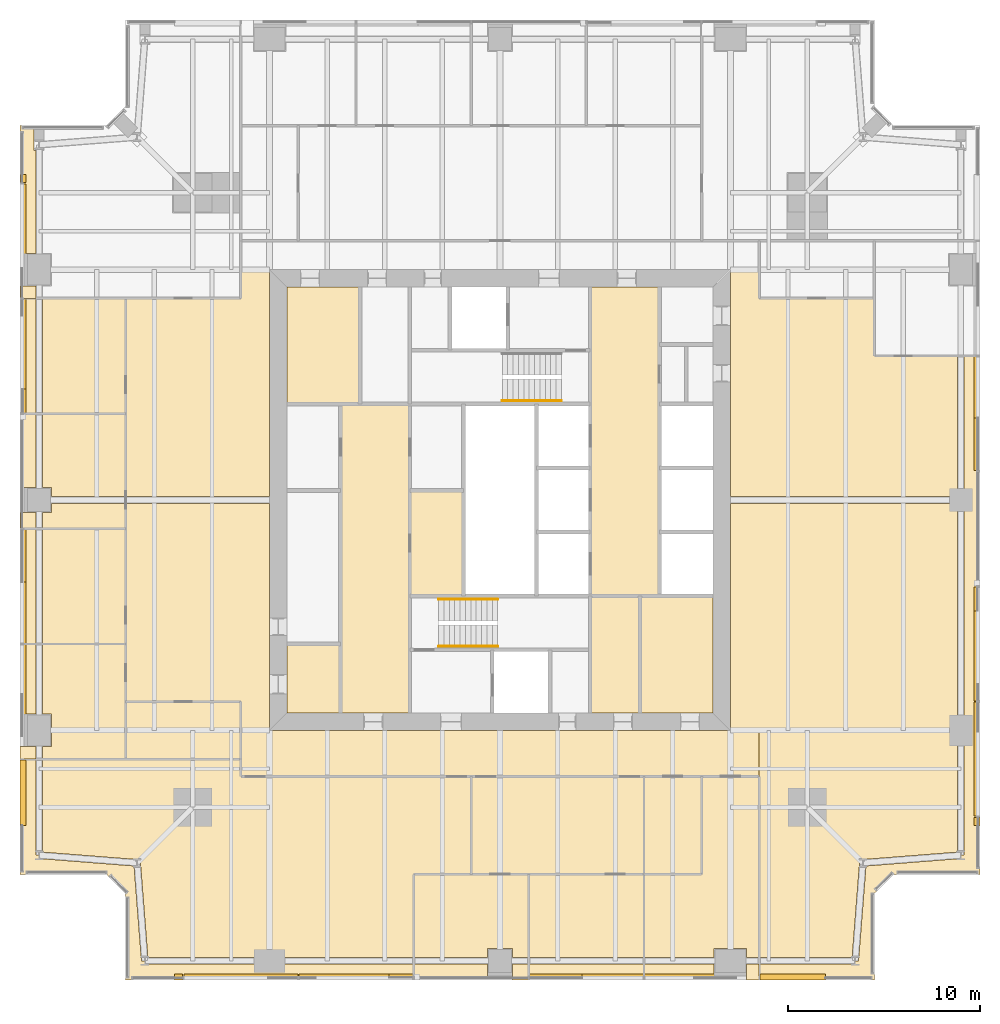
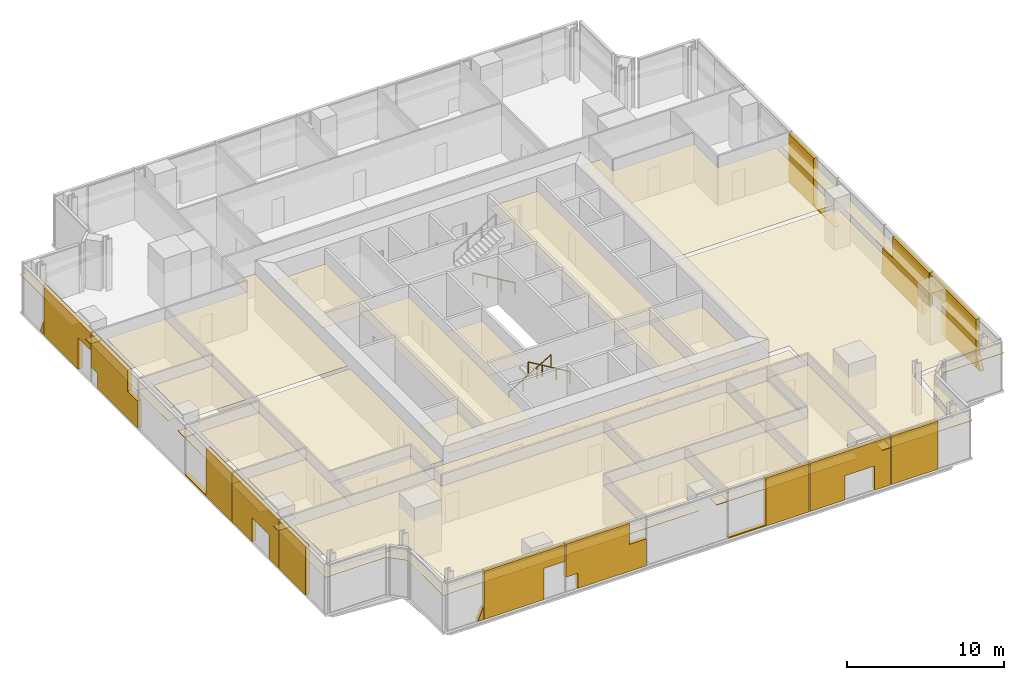
# One storey, part 13 of 14: 55 coverings, 3 railings.
"""IFC4 building model written with IfcOpenShell, lengths in metres."""

from ifc_helpers import new_model, si_unit, direction, frame, origin, origin_2d, place, context, subcontext, project, spatial, polyline, circle, outline, extrude, material, layer, layer_set, type_object, element, save


model = new_model("IFC4")

# Units and contexts
model_context = context("Model", 3, precision=1e-05, world=origin(), true_north=direction((0.0, 1.0)))
body_context = subcontext(model_context, "Body", "Model", "MODEL_VIEW")
ifc_project = project(units=[si_unit("LENGTHUNIT", "METRE"), si_unit("AREAUNIT", "SQUARE_METRE"), si_unit("VOLUMEUNIT", "CUBIC_METRE"), si_unit("PLANEANGLEUNIT", "RADIAN"), si_unit("MASSUNIT", "GRAM", prefix="KILO")], contexts=[model_context])

# Site, building, storey
site_placement = place(None, origin())
site = spatial("IfcSite", under=ifc_project, at=site_placement, CompositionType="ELEMENT")
building_placement = place(site_placement, origin())
building = spatial("IfcBuilding", under=site, at=building_placement, Name="Fenwick Lantern Interchange", CompositionType="ELEMENT")
storey_placement = place(building_placement, frame((0.0, 0.0, 193.800048828125)))
storey = spatial("IfcBuildingStorey", under=building, at=storey_placement, Name="L45", CompositionType="ELEMENT", Elevation=193.800048828125)

# Coverings
ifc_material_1 = material(Name="Mineral fibre acoustic tile on suspended grid")
ifc_layer_1 = layer(ifc_material_1, 0.02001953125)
ifc_layer_set_1 = layer_set([ifc_layer_1], Name="ACOUSTIC TILE CEILING 20")
covering_type_1 = type_object("IfcCoveringType", Name="ACOUSTIC TILE CEILING 20", PredefinedType="CEILING", material=ifc_layer_set_1)
covering_1_placement = place(storey_placement, frame((0.0, 0.0, 2.699951171875)))
element("IfcCovering", 1, at=covering_1_placement, inside=storey, type_object=covering_type_1, Name="Mail room ceiling", PredefinedType="CEILING", context=body_context, shape_type="SweptSolid", body=[
    extrude(outline(polyline([(20.300048828125, 20.0), (23.10009765625, 20.0), (23.10009765625, 25.5), (20.300048828125, 25.5), (20.300048828125, 20.0)])), origin(), (0.0, 0.0, 1.0), 0.02001953125),
])
covering_2_placement = place(storey_placement, frame((0.0, 0.0, 2.89990234375)))
element("IfcCovering", 2, at=covering_2_placement, inside=storey, type_object=covering_type_1, Name="Meeting room ceiling", PredefinedType="CEILING", context=body_context, shape_type="SweptSolid", body=[
    extrude(outline(polyline([(20.5, 5.5), (20.5, 1.17236328125), (24.35009765625, 1.17236328125), (24.35009765625, 1.64990234375), (25.64990234375, 1.64990234375), (25.64990234375, 1.17236328125), (26.5, 1.17236328125), (26.5, 5.5), (20.5, 5.5)])), origin(), (0.0, 0.0, 1.0), 0.02001953125),
])
covering_3_placement = place(storey_placement, frame((0.0, 0.0, 2.89990234375)))
element("IfcCovering", 3, at=covering_3_placement, inside=storey, type_object=covering_type_1, Name="Meeting room ceiling", PredefinedType="CEILING", context=body_context, shape_type="SweptSolid", body=[
    extrude(outline(polyline([(20.5, 0.82763671875), (20.5, 0.0), (24.35009765625, 0.0), (24.35009765625, 0.82763671875), (20.5, 0.82763671875)])), origin(), (0.0, 0.0, 1.0), 0.02001953125),
])
covering_4_placement = place(storey_placement, frame((0.0, 0.0, 2.89990234375)))
element("IfcCovering", 4, at=covering_4_placement, inside=storey, type_object=covering_type_1, Name="Meeting room ceiling", PredefinedType="CEILING", context=body_context, shape_type="SweptSolid", body=[
    extrude(outline(polyline([(26.5, 0.0), (26.5, 0.82763671875), (25.64990234375, 0.82763671875), (25.64990234375, 0.0), (26.5, 0.0)])), origin(), (0.0, 0.0, 1.0), 0.02001953125),
])
covering_5_placement = place(storey_placement, frame((0.0, 0.0, 2.89990234375)))
element("IfcCovering", 5, at=covering_5_placement, inside=storey, type_object=covering_type_1, Name="Meeting room ceiling", PredefinedType="CEILING", context=body_context, shape_type="SweptSolid", body=[
    extrude(outline(polyline([(26.5, 5.5), (26.5, 1.17236328125), (32.5, 1.17236328125), (32.5, 5.5), (26.5, 5.5)])), origin(), (0.0, 0.0, 1.0), 0.02001953125),
])
covering_6_placement = place(storey_placement, frame((0.0, 0.0, 2.89990234375)))
element("IfcCovering", 6, at=covering_6_placement, inside=storey, type_object=covering_type_1, Name="Meeting room ceiling", PredefinedType="CEILING", context=body_context, shape_type="SweptSolid", body=[
    extrude(outline(polyline([(32.5, 0.0), (32.5, 0.82763671875), (26.5, 0.82763671875), (26.5, 0.0), (32.5, 0.0)])), origin(), (0.0, 0.0, 1.0), 0.02001953125),
])
covering_7_placement = place(storey_placement, frame((0.0, 0.0, 2.89990234375)))
element("IfcCovering", 7, at=covering_7_placement, inside=storey, type_object=covering_type_1, Name="Meeting room ceiling", PredefinedType="CEILING", context=body_context, shape_type="SweptSolid", body=[
    extrude(outline(polyline([(37.85009765625, 1.64990234375), (37.85009765625, 1.17236328125), (38.5, 1.17236328125), (38.5, 10.60009765625), (35.5, 10.60009765625), (35.5, 5.5), (32.5, 5.5), (32.5, 1.17236328125), (36.14990234375, 1.17236328125), (36.14990234375, 1.64990234375), (37.85009765625, 1.64990234375)])), origin(), (0.0, 0.0, 1.0), 0.02001953125),
])
covering_8_placement = place(storey_placement, frame((0.0, 0.0, 2.89990234375)))
element("IfcCovering", 8, at=covering_8_placement, inside=storey, type_object=covering_type_1, Name="Meeting room ceiling", PredefinedType="CEILING", context=body_context, shape_type="SweptSolid", body=[
    extrude(outline(polyline([(36.14990234375, 0.0), (36.14990234375, 0.82763671875), (32.5, 0.82763671875), (32.5, 0.0), (36.14990234375, 0.0)])), origin(), (0.0, 0.0, 1.0), 0.02001953125),
])
covering_9_placement = place(storey_placement, frame((0.0, 0.0, 2.89990234375)))
element("IfcCovering", 9, at=covering_9_placement, inside=storey, type_object=covering_type_1, Name="Meeting room ceiling", PredefinedType="CEILING", context=body_context, shape_type="SweptSolid", body=[
    extrude(outline(polyline([(37.85009765625, 0.82763671875), (37.85009765625, 0.0), (38.5, 0.0), (38.5, 0.82763671875), (37.85009765625, 0.82763671875)])), origin(), (0.0, 0.0, 1.0), 0.02001953125),
])
covering_10_placement = place(storey_placement, frame((0.0, 0.0, 2.89990234375)))
element("IfcCovering", 10, at=covering_10_placement, inside=storey, type_object=covering_type_1, Name="Open office ceiling", PredefinedType="CEILING", context=body_context, shape_type="SweptSolid", body=[
    extrude(outline(polyline([(38.5, 13.0), (38.5, 1.17236328125), (43.340576171875, 1.17236328125), (43.72802734375, 6.113525390625), (43.89990234375, 6.10009765625), (43.886474609375, 6.27197265625), (48.82763671875, 6.659423828125), (48.82763671875, 13.0), (48.82763671875, 24.824951171875), (37.0, 24.824951171875), (37.0, 13.0), (38.5, 13.0)])), origin(), (0.0, 0.0, 1.0), 0.02001953125),
])
covering_11_placement = place(storey_placement, frame((0.0, 0.0, 2.89990234375)))
element("IfcCovering", 11, at=covering_11_placement, inside=storey, type_object=covering_type_1, Name="Open office ceiling", PredefinedType="CEILING", context=body_context, shape_type="SweptSolid", body=[
    extrude(outline(polyline([(37.0, 37.0), (37.0, 25.175048828125), (48.82763671875, 25.175048828125), (48.82763671875, 32.5), (44.5, 32.5), (44.5, 35.5), (38.5, 35.5), (38.5, 37.0), (37.0, 37.0)])), origin(), (0.0, 0.0, 1.0), 0.02001953125),
])
covering_12_placement = place(storey_placement, frame((0.0, 0.0, 2.89990234375)))
element("IfcCovering", 12, at=covering_12_placement, inside=storey, type_object=covering_type_1, Name="Open office ceiling", PredefinedType="CEILING", context=body_context, shape_type="SweptSolid", body=[
    extrude(outline(polyline([(45.5, 5.5), (50.0, 5.5), (50.0, 32.5), (49.17236328125, 32.5), (49.17236328125, 25.0), (49.17236328125, 13.0), (49.17236328125, 6.5), (49.0, 6.5), (49.013427734375, 6.328125), (44.060302734375, 5.939697265625), (43.671875, 0.986572265625), (43.5, 1.0), (43.5, 0.82763671875), (38.5, 0.82763671875), (38.5, 0.0), (44.5, 0.0), (44.5, 4.5), (45.5, 5.5)])), origin(), (0.0, 0.0, 1.0), 0.02001953125),
])
covering_13_placement = place(storey_placement, frame((0.0, 0.0, 2.89990234375)))
element("IfcCovering", 13, at=covering_13_placement, inside=storey, type_object=covering_type_1, Name="Open office ceiling", PredefinedType="CEILING", context=body_context, shape_type="SweptSolid", body=[
    extrude(outline(polyline([(5.5, 24.824951171875), (5.5, 14.5), (11.5, 14.5), (11.5, 13.0), (13.0, 13.0), (13.0, 24.824951171875), (5.5, 24.824951171875)])), origin(), (0.0, 0.0, 1.0), 0.02001953125),
])
covering_14_placement = place(storey_placement, frame((0.0, 0.0, 2.89990234375)))
element("IfcCovering", 14, at=covering_14_placement, inside=storey, type_object=covering_type_1, Name="Open office ceiling", PredefinedType="CEILING", context=body_context, shape_type="SweptSolid", body=[
    extrude(outline(polyline([(5.5, 35.5), (5.5, 25.175048828125), (13.0, 25.175048828125), (13.0, 37.0), (11.5, 37.0), (11.5, 35.5), (5.5, 35.5)])), origin(), (0.0, 0.0, 1.0), 0.02001953125),
])
covering_15_placement = place(storey_placement, frame((0.0, 0.0, 2.89990234375)))
element("IfcCovering", 15, at=covering_15_placement, inside=storey, type_object=covering_type_1, Name="Office ceiling", PredefinedType="CEILING", context=body_context, shape_type="SweptSolid", body=[
    extrude(outline(polyline([(0.0, 37.85009765625), (0.82763671875, 37.85009765625), (0.82763671875, 43.21240234375), (0.73779296875, 43.21240234375), (0.73779296875, 44.5), (0.0, 44.5), (0.0, 37.85009765625)])), origin(), (0.0, 0.0, 1.0), 0.02001953125),
])
covering_16_placement = place(storey_placement, frame((0.0, 0.0, 2.89990234375)))
element("IfcCovering", 16, at=covering_16_placement, inside=storey, type_object=covering_type_1, Name="Office ceiling", PredefinedType="CEILING", context=body_context, shape_type="SweptSolid", body=[
    extrude(outline(polyline([(0.0, 35.5), (0.82763671875, 35.5), (0.82763671875, 36.14990234375), (0.0, 36.14990234375), (0.0, 35.5)])), origin(), (0.0, 0.0, 1.0), 0.02001953125),
])
covering_17_placement = place(storey_placement, frame((0.0, 0.0, 2.89990234375)))
element("IfcCovering", 17, at=covering_17_placement, inside=storey, type_object=covering_type_1, Name="Office ceiling", PredefinedType="CEILING", context=body_context, shape_type="SweptSolid", body=[
    extrude(outline(polyline([(5.5, 35.5), (1.17236328125, 35.5), (1.17236328125, 29.5), (5.5, 29.5), (5.5, 35.5)])), origin(), (0.0, 0.0, 1.0), 0.02001953125),
])
covering_18_placement = place(storey_placement, frame((0.0, 0.0, 2.89990234375)))
element("IfcCovering", 18, at=covering_18_placement, inside=storey, type_object=covering_type_1, Name="Office ceiling", PredefinedType="CEILING", context=body_context, shape_type="SweptSolid", body=[
    extrude(outline(polyline([(0.0, 29.5), (0.82763671875, 29.5), (0.82763671875, 35.5), (0.0, 35.5), (0.0, 29.5)])), origin(), (0.0, 0.0, 1.0), 0.02001953125),
])
covering_19_placement = place(storey_placement, frame((0.0, 0.0, 2.89990234375)))
element("IfcCovering", 19, at=covering_19_placement, inside=storey, type_object=covering_type_1, Name="Office ceiling", PredefinedType="CEILING", context=body_context, shape_type="SweptSolid", body=[
    extrude(outline(polyline([(5.5, 29.5), (1.17236328125, 29.5), (1.17236328125, 25.64990234375), (1.64990234375, 25.64990234375), (1.64990234375, 25.175048828125), (5.5, 25.175048828125), (5.5, 29.5)])), origin(), (0.0, 0.0, 1.0), 0.02001953125),
])
covering_20_placement = place(storey_placement, frame((0.0, 0.0, 2.89990234375)))
element("IfcCovering", 20, at=covering_20_placement, inside=storey, type_object=covering_type_1, Name="Office ceiling", PredefinedType="CEILING", context=body_context, shape_type="SweptSolid", body=[
    extrude(outline(polyline([(5.5, 23.5), (5.5, 24.824951171875), (1.64990234375, 24.824951171875), (1.64990234375, 24.35009765625), (1.17236328125, 24.35009765625), (1.17236328125, 23.5), (5.5, 23.5)])), origin(), (0.0, 0.0, 1.0), 0.02001953125),
])
covering_21_placement = place(storey_placement, frame((0.0, 0.0, 2.89990234375)))
element("IfcCovering", 21, at=covering_21_placement, inside=storey, type_object=covering_type_1, Name="Office ceiling", PredefinedType="CEILING", context=body_context, shape_type="SweptSolid", body=[
    extrude(outline(polyline([(0.82763671875, 29.5), (0.0, 29.5), (0.0, 25.64990234375), (0.82763671875, 25.64990234375), (0.82763671875, 29.5)])), origin(), (0.0, 0.0, 1.0), 0.02001953125),
])
covering_22_placement = place(storey_placement, frame((0.0, 0.0, 2.89990234375)))
element("IfcCovering", 22, at=covering_22_placement, inside=storey, type_object=covering_type_1, Name="Office ceiling", PredefinedType="CEILING", context=body_context, shape_type="SweptSolid", body=[
    extrude(outline(polyline([(0.0, 23.5), (0.82763671875, 23.5), (0.82763671875, 24.35009765625), (0.0, 24.35009765625), (0.0, 23.5)])), origin(), (0.0, 0.0, 1.0), 0.02001953125),
])
covering_23_placement = place(storey_placement, frame((0.0, 0.0, 2.89990234375)))
element("IfcCovering", 23, at=covering_23_placement, inside=storey, type_object=covering_type_1, Name="Office ceiling", PredefinedType="CEILING", context=body_context, shape_type="SweptSolid", body=[
    extrude(outline(polyline([(5.5, 23.5), (1.17236328125, 23.5), (1.17236328125, 17.5), (5.5, 17.5), (5.5, 23.5)])), origin(), (0.0, 0.0, 1.0), 0.02001953125),
])
covering_24_placement = place(storey_placement, frame((0.0, 0.0, 2.89990234375)))
element("IfcCovering", 24, at=covering_24_placement, inside=storey, type_object=covering_type_1, Name="Office ceiling", PredefinedType="CEILING", context=body_context, shape_type="SweptSolid", body=[
    extrude(outline(polyline([(0.0, 17.5), (0.82763671875, 17.5), (0.82763671875, 23.5), (0.0, 23.5), (0.0, 17.5)])), origin(), (0.0, 0.0, 1.0), 0.02001953125),
])
covering_25_placement = place(storey_placement, frame((0.0, 0.0, 2.89990234375)))
element("IfcCovering", 25, at=covering_25_placement, inside=storey, type_object=covering_type_1, Name="Office ceiling", PredefinedType="CEILING", context=body_context, shape_type="SweptSolid", body=[
    extrude(outline(polyline([(5.5, 17.5), (1.17236328125, 17.5), (1.17236328125, 13.85009765625), (1.64990234375, 13.85009765625), (1.64990234375, 12.14990234375), (1.17236328125, 12.14990234375), (1.17236328125, 11.5), (5.5, 11.5), (5.5, 17.5)])), origin(), (0.0, 0.0, 1.0), 0.02001953125),
])
covering_26_placement = place(storey_placement, frame((0.0, 0.0, 2.89990234375)))
element("IfcCovering", 26, at=covering_26_placement, inside=storey, type_object=covering_type_1, Name="Office ceiling", PredefinedType="CEILING", context=body_context, shape_type="SweptSolid", body=[
    extrude(outline(polyline([(0.82763671875, 17.5), (0.0, 17.5), (0.0, 13.85009765625), (0.82763671875, 13.85009765625), (0.82763671875, 17.5)])), origin(), (0.0, 0.0, 1.0), 0.02001953125),
])
covering_27_placement = place(storey_placement, frame((0.0, 0.0, 2.89990234375)))
element("IfcCovering", 27, at=covering_27_placement, inside=storey, type_object=covering_type_1, Name="Office ceiling", PredefinedType="CEILING", context=body_context, shape_type="SweptSolid", body=[
    extrude(outline(polyline([(0.0, 11.5), (0.82763671875, 11.5), (0.82763671875, 12.14990234375), (0.0, 12.14990234375), (0.0, 11.5)])), origin(), (0.0, 0.0, 1.0), 0.02001953125),
])
ifc_material_2 = material(Name="Granite cladding, warm grey flamed finish, on aluminium carrier frame", Category="masonry")
ifc_layer_2 = layer(ifc_material_2, 0.300048828125)
ifc_layer_set_2 = layer_set([ifc_layer_2], Name="BRACE CASING PANEL 300")
covering_type_2 = type_object("IfcCoveringType", Name="BRACE CASING PANEL 300", PredefinedType="CLADDING", material=ifc_layer_set_2)
covering_28_placement = place(storey_placement, frame((5.60009765625, 0.10009765625, 0.0), z_axis=(0.0, 0.0, 1.0), x_axis=(1.0, 0.0, 0.0)))
element("IfcCovering", 28, at=covering_28_placement, inside=storey, type_object=covering_type_2, Name="Brace casing 01 bay 00a", PredefinedType="CLADDING", context=body_context, shape_type="SweptSolid", body=[
    extrude(outline(polyline([(2.453369140625, 0.0), (2.867431640625, 0.0), (2.867431640625, 1.01953125), (2.453369140625, 0.0)])), frame((0.0, 0.2001953125, 0.0), z_axis=(0.0, -1.0, 0.0), x_axis=(1.0, 0.0, 0.0)), (0.0, 0.0, 1.0), 0.300048828125),
])
covering_29_placement = place(storey_placement, frame((5.60009765625, 0.10009765625, 0.0), z_axis=(0.0, 0.0, 1.0), x_axis=(1.0, 0.0, 0.0)))
element("IfcCovering", 29, at=covering_29_placement, inside=storey, type_object=covering_type_2, Name="Brace casing 01 bay 01a", PredefinedType="CLADDING", context=body_context, shape_type="SweptSolid", body=[
    extrude(outline(polyline([(2.9326171875, 0.0), (7.3291015625, 0.0), (7.3291015625, 2.436767578125), (8.867431640625, 2.436767578125), (8.867431640625, 3.75), (2.9326171875, 3.75), (2.9326171875, 0.0)])), frame((0.0, 0.2001953125, 0.0), z_axis=(0.0, -1.0, 0.0), x_axis=(1.0, 0.0, 0.0)), (0.0, 0.0, 1.0), 0.300048828125),
])
covering_30_placement = place(storey_placement, frame((5.60009765625, 0.10009765625, 0.0), z_axis=(0.0, 0.0, 1.0), x_axis=(1.0, 0.0, 0.0)))
element("IfcCovering", 30, at=covering_30_placement, inside=storey, type_object=covering_type_2, Name="Brace casing 01 bay 02a", PredefinedType="CLADDING", context=body_context, shape_type="SweptSolid", body=[
    extrude(outline(polyline([(9.8125, 0.0), (14.867431640625, 0.0), (14.867431640625, 2.0966796875), (13.623046875, 2.0966796875), (13.623046875, 3.75), (8.9326171875, 3.75), (8.9326171875, 1.17724609375), (9.8125, 1.17724609375), (9.8125, 0.0)])), frame((0.0, 0.2001953125, 0.0), z_axis=(0.0, -1.0, 0.0), x_axis=(1.0, 0.0, 0.0)), (0.0, 0.0, 1.0), 0.300048828125),
])
covering_31_placement = place(storey_placement, frame((5.60009765625, 0.10009765625, 0.0), z_axis=(0.0, 0.0, 1.0), x_axis=(1.0, 0.0, 0.0)))
element("IfcCovering", 31, at=covering_31_placement, inside=storey, type_object=covering_type_2, Name="Brace casing 01 bay 04a", PredefinedType="CLADDING", context=body_context, shape_type="SweptSolid", body=[
    extrude(outline(polyline([(20.9326171875, 0.0), (26.867431640625, 0.0), (26.867431640625, 3.75), (23.672607421875, 3.75), (23.672607421875, 0.090576171875), (20.9326171875, 0.090576171875), (20.9326171875, 0.0)])), frame((0.0, 0.2001953125, 0.0), z_axis=(0.0, -1.0, 0.0), x_axis=(1.0, 0.0, 0.0)), (0.0, 0.0, 1.0), 0.300048828125),
])
covering_32_placement = place(storey_placement, frame((5.60009765625, 0.10009765625, 0.0), z_axis=(0.0, 0.0, 1.0), x_axis=(1.0, 0.0, 0.0)))
element("IfcCovering", 32, at=covering_32_placement, inside=storey, type_object=covering_type_2, Name="Brace casing 01 bay 05a", PredefinedType="CLADDING", context=body_context, shape_type="SweptSolid", body=[
    extrude(outline(polyline([(26.9326171875, 0.0), (29.51953125, 0.0), (29.51953125, 1.88671875), (31.694580078125, 1.88671875), (31.694580078125, 0.0), (32.867431640625, 0.0), (32.867431640625, 3.75), (26.9326171875, 3.75), (26.9326171875, 0.0)])), frame((0.0, 0.2001953125, 0.0), z_axis=(0.0, -1.0, 0.0), x_axis=(1.0, 0.0, 0.0)), (0.0, 0.0, 1.0), 0.300048828125),
])
covering_33_placement = place(storey_placement, frame((5.60009765625, 0.10009765625, 0.0), z_axis=(0.0, 0.0, 1.0), x_axis=(1.0, 0.0, 0.0)))
element("IfcCovering", 33, at=covering_33_placement, inside=storey, type_object=covering_type_2, Name="Brace casing 01 bay 06a", PredefinedType="CLADDING", context=body_context, shape_type="SweptSolid", body=[
    extrude(outline(polyline([(32.9326171875, 0.0), (36.34814453125, 0.0), (36.34814453125, 3.75), (32.9326171875, 3.75), (32.9326171875, 0.0)])), frame((0.0, 0.2001953125, 0.0), z_axis=(0.0, -1.0, 0.0), x_axis=(1.0, 0.0, 0.0)), (0.0, 0.0, 1.0), 0.300048828125),
])
covering_34_placement = place(storey_placement, frame((49.89990234375, 5.60009765625, 0.0), z_axis=(0.0, 0.0, 1.0), x_axis=(0.0, 1.0, 0.0)))
element("IfcCovering", 34, at=covering_34_placement, inside=storey, type_object=covering_type_2, Name="Brace casing 05 bay 00a", PredefinedType="CLADDING", context=body_context, shape_type="SweptSolid", body=[
    extrude(outline(polyline([(2.453369140625, 0.0), (2.867431640625, 0.0), (2.867431640625, 1.01953125), (2.453369140625, 0.0)])), frame((0.0, 0.2001953125, 0.0), z_axis=(0.0, -1.0, 0.0), x_axis=(1.0, 0.0, 0.0)), (0.0, 0.0, 1.0), 0.300048828125),
])
covering_35_placement = place(storey_placement, frame((49.89990234375, 5.60009765625, 0.0), z_axis=(0.0, 0.0, 1.0), x_axis=(0.0, 1.0, 0.0)))
element("IfcCovering", 35, at=covering_35_placement, inside=storey, type_object=covering_type_2, Name="Brace casing 05 bay 01a", PredefinedType="CLADDING", context=body_context, shape_type="SweptSolid", body=[
    extrude(outline(polyline([(2.9326171875, 0.0), (7.3291015625, 0.0), (7.3291015625, 2.436767578125), (8.867431640625, 2.436767578125), (8.867431640625, 3.75), (2.9326171875, 3.75), (2.9326171875, 0.0)])), frame((0.0, 0.2001953125, 0.0), z_axis=(0.0, -1.0, 0.0), x_axis=(1.0, 0.0, 0.0)), (0.0, 0.0, 1.0), 0.300048828125),
])
covering_36_placement = place(storey_placement, frame((49.89990234375, 5.60009765625, 0.0), z_axis=(0.0, 0.0, 1.0), x_axis=(0.0, 1.0, 0.0)))
element("IfcCovering", 36, at=covering_36_placement, inside=storey, type_object=covering_type_2, Name="Brace casing 05 bay 02a", PredefinedType="CLADDING", context=body_context, shape_type="SweptSolid", body=[
    extrude(outline(polyline([(9.8125, 0.0), (14.867431640625, 0.0), (14.867431640625, 2.0966796875), (13.623046875, 2.0966796875), (13.623046875, 3.75), (8.9326171875, 3.75), (8.9326171875, 1.17724609375), (9.8125, 1.17724609375), (9.8125, 0.0)])), frame((0.0, 0.2001953125, 0.0), z_axis=(0.0, -1.0, 0.0), x_axis=(1.0, 0.0, 0.0)), (0.0, 0.0, 1.0), 0.300048828125),
])
covering_37_placement = place(storey_placement, frame((49.89990234375, 5.60009765625, 0.0), z_axis=(0.0, 0.0, 1.0), x_axis=(0.0, 1.0, 0.0)))
element("IfcCovering", 37, at=covering_37_placement, inside=storey, type_object=covering_type_2, Name="Brace casing 05 bay 04a", PredefinedType="CLADDING", context=body_context, shape_type="SweptSolid", body=[
    extrude(outline(polyline([(20.9326171875, 0.0), (26.867431640625, 0.0), (26.867431640625, 3.75), (23.672607421875, 3.75), (23.672607421875, 0.090576171875), (20.9326171875, 0.090576171875), (20.9326171875, 0.0)])), frame((0.0, 0.2001953125, 0.0), z_axis=(0.0, -1.0, 0.0), x_axis=(1.0, 0.0, 0.0)), (0.0, 0.0, 1.0), 0.300048828125),
])
covering_38_placement = place(storey_placement, frame((0.10009765625, 44.39990234375, 0.0), z_axis=(0.0, 0.0, 1.0), x_axis=(0.0, -1.0, 0.0)))
element("IfcCovering", 38, at=covering_38_placement, inside=storey, type_object=covering_type_2, Name="Brace casing 13 bay 00a", PredefinedType="CLADDING", context=body_context, shape_type="SweptSolid", body=[
    extrude(outline(polyline([(2.453369140625, 0.0), (2.867431640625, 0.0), (2.867431640625, 1.01953125), (2.453369140625, 0.0)])), frame((0.0, 0.2001953125, 0.0), z_axis=(0.0, -1.0, 0.0), x_axis=(1.0, 0.0, 0.0)), (0.0, 0.0, 1.0), 0.300048828125),
])
covering_39_placement = place(storey_placement, frame((0.10009765625, 44.39990234375, 0.0), z_axis=(0.0, 0.0, 1.0), x_axis=(0.0, -1.0, 0.0)))
element("IfcCovering", 39, at=covering_39_placement, inside=storey, type_object=covering_type_2, Name="Brace casing 13 bay 01a", PredefinedType="CLADDING", context=body_context, shape_type="SweptSolid", body=[
    extrude(outline(polyline([(2.9326171875, 0.0), (7.3291015625, 0.0), (7.3291015625, 2.436767578125), (8.867431640625, 2.436767578125), (8.867431640625, 3.75), (2.9326171875, 3.75), (2.9326171875, 0.0)])), frame((0.0, 0.2001953125, 0.0), z_axis=(0.0, -1.0, 0.0), x_axis=(1.0, 0.0, 0.0)), (0.0, 0.0, 1.0), 0.300048828125),
])
covering_40_placement = place(storey_placement, frame((0.10009765625, 44.39990234375, 0.0), z_axis=(0.0, 0.0, 1.0), x_axis=(0.0, -1.0, 0.0)))
element("IfcCovering", 40, at=covering_40_placement, inside=storey, type_object=covering_type_2, Name="Brace casing 13 bay 02a", PredefinedType="CLADDING", context=body_context, shape_type="SweptSolid", body=[
    extrude(outline(polyline([(9.8125, 0.0), (14.867431640625, 0.0), (14.867431640625, 2.0966796875), (13.623046875, 2.0966796875), (13.623046875, 3.75), (8.9326171875, 3.75), (8.9326171875, 1.17724609375), (9.8125, 1.17724609375), (9.8125, 0.0)])), frame((0.0, 0.2001953125, 0.0), z_axis=(0.0, -1.0, 0.0), x_axis=(1.0, 0.0, 0.0)), (0.0, 0.0, 1.0), 0.300048828125),
])
covering_41_placement = place(storey_placement, frame((0.10009765625, 44.39990234375, 0.0), z_axis=(0.0, 0.0, 1.0), x_axis=(0.0, -1.0, 0.0)))
element("IfcCovering", 41, at=covering_41_placement, inside=storey, type_object=covering_type_2, Name="Brace casing 13 bay 04a", PredefinedType="CLADDING", context=body_context, shape_type="SweptSolid", body=[
    extrude(outline(polyline([(20.9326171875, 0.0), (26.867431640625, 0.0), (26.867431640625, 3.75), (23.672607421875, 3.75), (23.672607421875, 0.090576171875), (20.9326171875, 0.090576171875), (20.9326171875, 0.0)])), frame((0.0, 0.2001953125, 0.0), z_axis=(0.0, -1.0, 0.0), x_axis=(1.0, 0.0, 0.0)), (0.0, 0.0, 1.0), 0.300048828125),
])
covering_42_placement = place(storey_placement, frame((0.10009765625, 44.39990234375, 0.0), z_axis=(0.0, 0.0, 1.0), x_axis=(0.0, -1.0, 0.0)))
element("IfcCovering", 42, at=covering_42_placement, inside=storey, type_object=covering_type_2, Name="Brace casing 13 bay 05a", PredefinedType="CLADDING", context=body_context, shape_type="SweptSolid", body=[
    extrude(outline(polyline([(26.9326171875, 0.0), (29.51953125, 0.0), (29.51953125, 1.88671875), (31.694580078125, 1.88671875), (31.694580078125, 0.0), (32.867431640625, 0.0), (32.867431640625, 3.75), (26.9326171875, 3.75), (26.9326171875, 0.0)])), frame((0.0, 0.2001953125, 0.0), z_axis=(0.0, -1.0, 0.0), x_axis=(1.0, 0.0, 0.0)), (0.0, 0.0, 1.0), 0.300048828125),
])
covering_43_placement = place(storey_placement, frame((0.10009765625, 44.39990234375, 0.0), z_axis=(0.0, 0.0, 1.0), x_axis=(0.0, -1.0, 0.0)))
element("IfcCovering", 43, at=covering_43_placement, inside=storey, type_object=covering_type_2, Name="Brace casing 13 bay 06a", PredefinedType="CLADDING", context=body_context, shape_type="SweptSolid", body=[
    extrude(outline(polyline([(32.9326171875, 0.0), (36.34814453125, 0.0), (36.34814453125, 3.75), (32.9326171875, 3.75), (32.9326171875, 0.0)])), frame((0.0, 0.2001953125, 0.0), z_axis=(0.0, -1.0, 0.0), x_axis=(1.0, 0.0, 0.0)), (0.0, 0.0, 1.0), 0.300048828125),
])

# Railings
ifc_material_3 = material(Name="Stainless steel handrail", Category="steel")
railing_type = type_object("IfcRailingType", Name="HANDRAIL 900", PredefinedType="HANDRAIL", material=ifc_material_3)
railing_placement = place(storey_placement, frame((21.800048828125, 19.825927734375, 0.16650390625)))
element("IfcRailing", 44, at=railing_placement, inside=storey, type_object=railing_type, Name="L45/STAIR/ST1/HR1", PredefinedType="HANDRAIL", context=body_context, shape_type="SweptSolid", body=[
    extrude(circle(Radius=0.02392578125, at=origin_2d()), frame((0.0, 0.0, 0.8759765625), z_axis=(0.859260807169, 0.0, 0.511537745687), x_axis=(0.0, 1.0, 0.0)), (0.0, 0.0, 1.0), 3.584228515625),
    extrude(circle(Radius=0.02099609375, at=origin_2d()), origin(), (0.0, 0.0, 1.0), 0.851806640625),
    extrude(circle(Radius=0.02099609375, at=origin_2d()), frame((1.026611328125, 0.0, 0.611083984375)), (0.0, 0.0, 1.0), 0.851806640625),
    extrude(circle(Radius=0.02099609375, at=origin_2d()), frame((2.05322265625, 0.0, 1.222412109375)), (0.0, 0.0, 1.0), 0.851806640625),
    extrude(circle(Radius=0.02099609375, at=origin_2d()), frame((3.079833984375, 0.0, 1.83349609375)), (0.0, 0.0, 1.0), 0.851806640625),
])
for number, where, name in (
    (45, (24.8798828125, 17.3740234375, 2.16650390625), "L45/STAIR/ST1/HR2"),
    (46, (28.199951171875, 30.174072265625, 0.16650390625), "L45/STAIR/ST2/HR1"),
):
    element("IfcRailing", number, at=place(storey_placement, frame(where)), inside=storey, type_object=railing_type, Name=name, PredefinedType="HANDRAIL", context=body_context, shape_type="SweptSolid", body=[
        extrude(circle(Radius=0.02392578125, at=origin_2d()), frame((0.0, 0.0, 0.8759765625), z_axis=(-0.859260807169, 0.0, 0.511537745687), x_axis=(0.0, -1.0, 0.0)), (0.0, 0.0, 1.0), 3.584228515625),
        extrude(circle(Radius=0.02099609375, at=origin_2d()), origin(), (0.0, 0.0, 1.0), 0.851806640625),
        extrude(circle(Radius=0.02099609375, at=origin_2d()), frame((-1.026611328125, 0.0, 0.611083984375)), (0.0, 0.0, 1.0), 0.851806640625),
        extrude(circle(Radius=0.02099609375, at=origin_2d()), frame((-2.05322265625, 0.0, 1.222412109375)), (0.0, 0.0, 1.0), 0.851806640625),
        extrude(circle(Radius=0.02099609375, at=origin_2d()), frame((-3.079833984375, 0.0, 1.83349609375)), (0.0, 0.0, 1.0), 0.851806640625),
    ])

# Coverings
ifc_material_4 = material(Name="Moisture resistant gypsum board on suspended frame, painted")
ifc_layer_3 = layer(ifc_material_4, 0.014892578125)
ifc_layer_set_3 = layer_set([ifc_layer_3], Name="MOISTURE RESISTANT CEILING 15")
covering_type_3 = type_object("IfcCoveringType", Name="MOISTURE RESISTANT CEILING 15", PredefinedType="CEILING", material=ifc_layer_set_3)
covering_44_placement = place(storey_placement, frame((0.0, 0.0, 2.599853515625)))
element("IfcCovering", 47, at=covering_44_placement, inside=storey, type_object=covering_type_3, Name="Men's WC ceiling", PredefinedType="CEILING", context=body_context, shape_type="SweptSolid", body=[
    extrude(outline(polyline([(29.699951171875, 13.89990234375), (32.300048828125, 13.89990234375), (32.300048828125, 20.0), (29.699951171875, 20.0), (29.699951171875, 13.89990234375)])), origin(), (0.0, 0.0, 1.0), 0.01513671875),
])
covering_45_placement = place(storey_placement, frame((0.0, 0.0, 2.599853515625)))
element("IfcCovering", 48, at=covering_45_placement, inside=storey, type_object=covering_type_3, Name="Women's WC ceiling", PredefinedType="CEILING", context=body_context, shape_type="SweptSolid", body=[
    extrude(outline(polyline([(32.300048828125, 13.89990234375), (36.10009765625, 13.89990234375), (36.10009765625, 20.0), (32.300048828125, 20.0), (32.300048828125, 13.89990234375)])), origin(), (0.0, 0.0, 1.0), 0.01513671875),
])
covering_46_placement = place(storey_placement, frame((0.0, 0.0, 2.599853515625)))
element("IfcCovering", 49, at=covering_46_placement, inside=storey, type_object=covering_type_3, Name="Accessible WC and shower ceiling", PredefinedType="CEILING", context=body_context, shape_type="SweptSolid", body=[
    extrude(outline(polyline([(13.89990234375, 13.89990234375), (16.699951171875, 13.89990234375), (16.699951171875, 17.5), (13.89990234375, 17.5), (13.89990234375, 13.89990234375)])), origin(), (0.0, 0.0, 1.0), 0.01513671875),
])
covering_47_placement = place(storey_placement, frame((0.0, 0.0, 2.599853515625)))
element("IfcCovering", 50, at=covering_47_placement, inside=storey, type_object=covering_type_3, Name="Women's WC ceiling", PredefinedType="CEILING", context=body_context, shape_type="SweptSolid", body=[
    extrude(outline(polyline([(17.699951171875, 36.10009765625), (13.89990234375, 36.10009765625), (13.89990234375, 30.0), (17.699951171875, 30.0), (17.699951171875, 36.10009765625)])), origin(), (0.0, 0.0, 1.0), 0.01513671875),
])
covering_48_placement = place(storey_placement, frame((0.0, 0.0, 2.699951171875)))
element("IfcCovering", 51, at=covering_48_placement, inside=storey, type_object=covering_type_3, Name="Pantry ceiling", PredefinedType="CEILING", context=body_context, shape_type="SweptSolid", body=[
    extrude(outline(polyline([(32.5, 5.5), (35.5, 5.5), (35.5, 10.60009765625), (32.5, 10.60009765625), (32.5, 5.5)])), origin(), (0.0, 0.0, 1.0), 0.014892578125),
])
covering_49_placement = place(storey_placement, frame((0.0, 0.0, 2.699951171875)))
element("IfcCovering", 52, at=covering_49_placement, inside=storey, type_object=covering_type_3, Name="Pantry ceiling", PredefinedType="CEILING", context=body_context, shape_type="SweptSolid", body=[
    extrude(outline(polyline([(5.5, 14.5), (5.5, 11.5), (11.5, 11.5), (11.5, 14.5), (5.5, 14.5)])), origin(), (0.0, 0.0, 1.0), 0.014892578125),
])
ifc_material_5 = material(Name="Gypsum plasterboard on suspended frame, painted")
ifc_layer_4 = layer(ifc_material_5, 0.014892578125)
ifc_layer_set_4 = layer_set([ifc_layer_4], Name="PLASTERBOARD CEILING 15")
covering_type_4 = type_object("IfcCoveringType", Name="PLASTERBOARD CEILING 15", PredefinedType="CEILING", material=ifc_layer_set_4)
covering_50_placement = place(storey_placement, frame((0.0, 0.0, 2.800048828125)))
element("IfcCovering", 53, at=covering_50_placement, inside=storey, type_object=covering_type_4, Name="Lift lobby ceiling", PredefinedType="CEILING", context=body_context, shape_type="SweptSolid", body=[
    extrude(outline(polyline([(16.699951171875, 13.89990234375), (20.300048828125, 13.89990234375), (20.300048828125, 30.0), (16.699951171875, 30.0), (16.699951171875, 13.89990234375)])), origin(), (0.0, 0.0, 1.0), 0.014892578125),
])
covering_51_placement = place(storey_placement, frame((0.0, 0.0, 2.800048828125)))
element("IfcCovering", 54, at=covering_51_placement, inside=storey, type_object=covering_type_4, Name="Lift lobby ceiling", PredefinedType="CEILING", context=body_context, shape_type="SweptSolid", body=[
    extrude(outline(polyline([(33.300048828125, 36.10009765625), (29.699951171875, 36.10009765625), (29.699951171875, 20.0), (33.300048828125, 20.0), (33.300048828125, 36.10009765625)])), origin(), (0.0, 0.0, 1.0), 0.014892578125),
])
covering_52_placement = place(storey_placement, frame((0.0, 0.0, 2.599853515625)))
element("IfcCovering", 55, at=covering_52_placement, inside=storey, type_object=covering_type_4, Name="Corridor ceiling", PredefinedType="CEILING", context=body_context, shape_type="SweptSolid", body=[
    extrude(outline(polyline([(11.5, 10.60009765625), (38.5, 10.60009765625), (38.5, 13.0), (11.5, 13.0), (11.5, 10.60009765625)])), origin(), (0.0, 0.0, 1.0), 0.01513671875),
])
covering_53_placement = place(storey_placement, frame((0.0, 0.0, 2.89990234375)))
element("IfcCovering", 56, at=covering_53_placement, inside=storey, type_object=covering_type_4, Name="Reception ceiling", PredefinedType="CEILING", context=body_context, shape_type="SweptSolid", body=[
    extrude(outline(polyline([(23.5, 5.5), (32.5, 5.5), (32.5, 10.60009765625), (23.5, 10.60009765625), (23.5, 5.5)])), origin(), (0.0, 0.0, 1.0), 0.01513671875),
])
covering_54_placement = place(storey_placement, frame((0.0, 0.0, 2.89990234375)))
element("IfcCovering", 57, at=covering_54_placement, inside=storey, type_object=covering_type_4, Name="Client lounge ceiling", PredefinedType="CEILING", context=body_context, shape_type="SweptSolid", body=[
    extrude(outline(polyline([(11.5, 11.5), (1.17236328125, 11.5), (1.17236328125, 6.659423828125), (6.113525390625, 6.27197265625), (6.10009765625, 6.10009765625), (6.27197265625, 6.113525390625), (6.659423828125, 1.17236328125), (13.0, 1.17236328125), (20.5, 1.17236328125), (20.5, 5.5), (23.5, 5.5), (23.5, 10.60009765625), (11.5, 10.60009765625), (11.5, 11.5)])), origin(), (0.0, 0.0, 1.0), 0.01513671875),
])
covering_55_placement = place(storey_placement, frame((0.0, 0.0, 2.89990234375)))
element("IfcCovering", 58, at=covering_55_placement, inside=storey, type_object=covering_type_4, Name="Client lounge ceiling", PredefinedType="CEILING", context=body_context, shape_type="SweptSolid", body=[
    extrude(outline(polyline([(5.5, 0.0), (20.5, 0.0), (20.5, 0.82763671875), (13.0, 0.82763671875), (6.5, 0.82763671875), (6.5, 1.0), (6.328125, 0.986572265625), (5.939697265625, 5.939697265625), (0.986572265625, 6.328125), (1.0, 6.5), (0.82763671875, 6.5), (0.82763671875, 11.5), (0.0, 11.5), (0.0, 5.5), (4.5, 5.5), (5.5, 4.5), (5.5, 0.0)])), origin(), (0.0, 0.0, 1.0), 0.01513671875),
])

save(model, "model.ifc")
